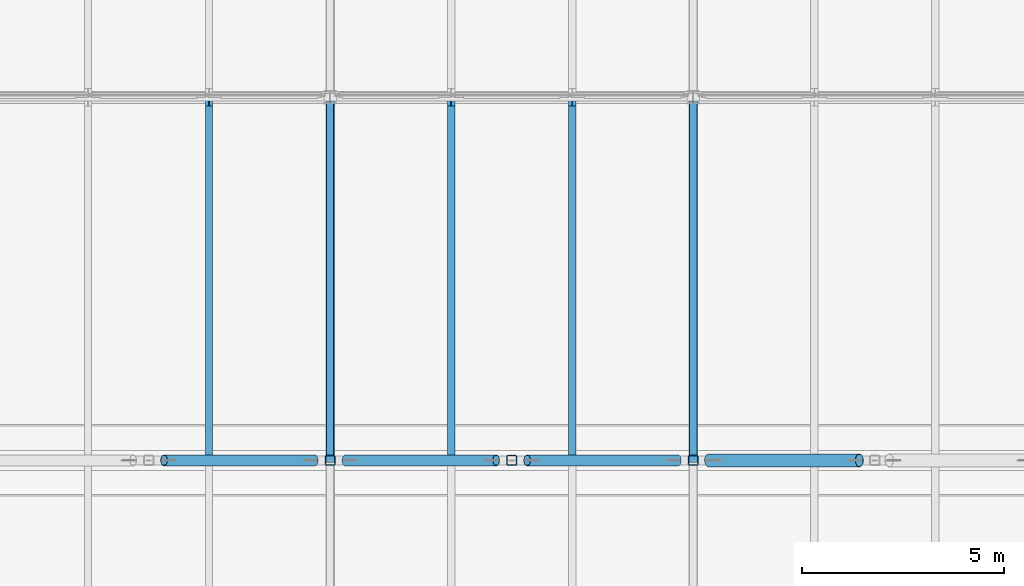
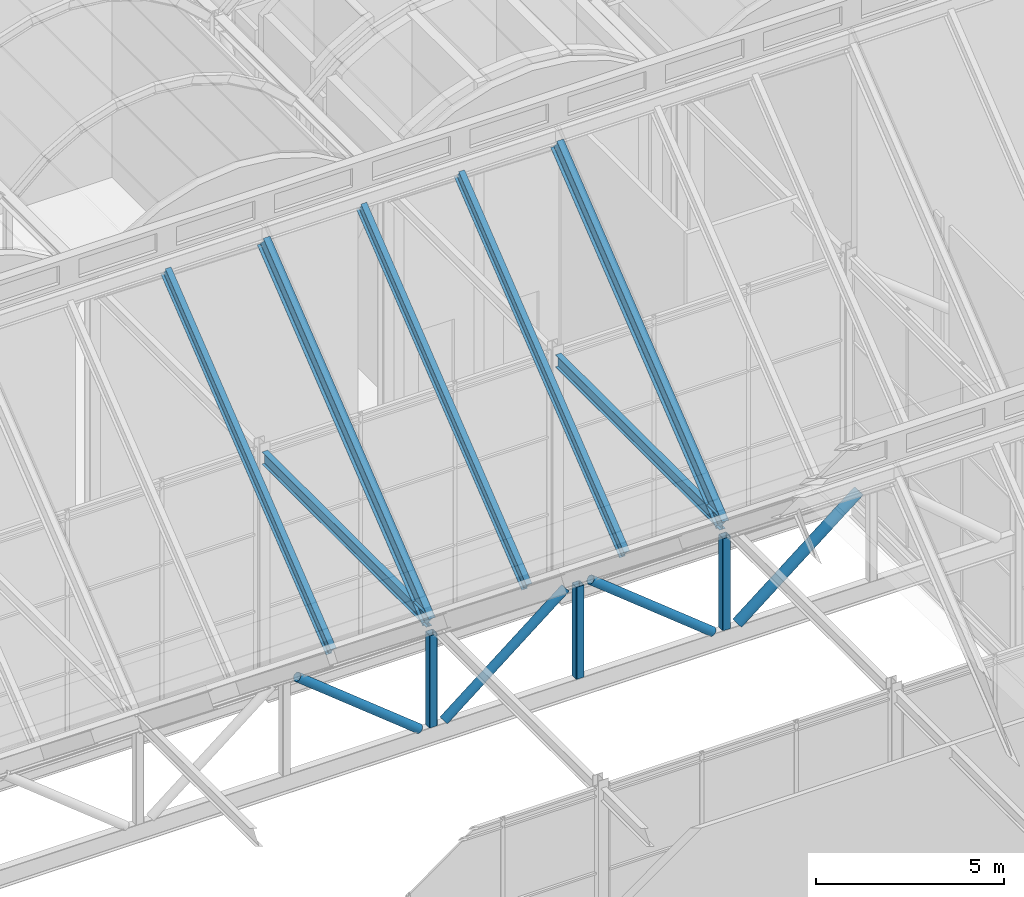
# One storey, part 74 of 144: 12 members, 2 beams.
"""IFC4 building model written with IfcOpenShell, lengths in metres."""

from ifc_helpers import new_model, si_unit, direction, frame, origin, origin_2d, place, context, subcontext, project, spatial, hollow_rectangle, hollow_circle, i_section, extrude, material, material_profile, profile_set, type_object, element, save


model = new_model("IFC4")

# Units and contexts
model_context = context("Model", 3, precision=1e-05, world=origin(), true_north=direction((0.0, 1.0)))
body_context = subcontext(model_context, "Body", "Model", "MODEL_VIEW")
ifc_project = project(units=[si_unit("LENGTHUNIT", "METRE"), si_unit("AREAUNIT", "SQUARE_METRE"), si_unit("VOLUMEUNIT", "CUBIC_METRE"), si_unit("PLANEANGLEUNIT", "RADIAN"), si_unit("MASSUNIT", "GRAM", prefix="KILO")], contexts=[model_context])

# Site, building, storey
site_placement = place(None, origin())
site = spatial("IfcSite", under=ifc_project, at=site_placement, CompositionType="ELEMENT")
building_placement = place(site_placement, origin())
building = spatial("IfcBuilding", under=site, at=building_placement, Name="Shorebreak Coast Museum", CompositionType="ELEMENT")
storey_placement = place(building_placement, frame((0.0, 0.0, 36.0)))
storey = spatial("IfcBuildingStorey", under=building, at=storey_placement, Name="L06", CompositionType="ELEMENT", Elevation=36.0)

# Members
ifc_material_1 = material(Name="Steel Grade C350L0", Category="steel")
ifc_material_profile_1 = material_profile(ifc_material_1, hollow_circle(Radius=0.136474609375, WallThickness=0.00927734375, at=origin_2d()), Name="273.1x9.3 CHS")
ifc_profile_set_1 = profile_set([ifc_material_profile_1], Name="Steel Grade C350L0")
member_type_1 = type_object("IfcMemberType", Name="Atrium roof truss diagonal 273.1x9.3 CHS", PredefinedType="BRACE", material=ifc_profile_set_1)
for number, where, z_axis, x_axis, name in (
    (1, (89.617431640625, 72.0, 4.235595703125), (-0.780878769246, 0.0, 0.624682597597), (0.0, -1.0, 0.0), "Atrium roof truss TA3 diagonal D06"),
    (2, (90.382568359375, 72.0, 4.235595703125), (0.780878769246, 0.0, 0.624682597597), (0.0, 1.0, 0.0), "Atrium roof truss TA3 diagonal D07"),
    (3, (98.617431640625, 72.0, 4.235595703125), (-0.780878769246, 0.0, 0.624682597597), (0.0, -1.0, 0.0), "Atrium roof truss TA3 diagonal D08"),
):
    element("IfcMember", number, at=place(storey_placement, frame(where, z_axis=z_axis, x_axis=x_axis)), inside=storey, type_object=member_type_1, Name=name, PredefinedType="BRACE", context=body_context, shape_type="SweptSolid", body=[
        extrude(hollow_circle(Radius=0.136474609375, WallThickness=0.00927734375, at=origin_2d()), origin(), (0.0, 0.0, 1.0), 4.782958984375),
    ])
ifc_material_2 = material(Name="Steel Grade C350L0", Category="steel")
ifc_material_profile_2 = material_profile(ifc_material_2, hollow_circle(Radius=0.161865234375, WallThickness=0.009521484375, at=origin_2d()), Name="323.9x9.5 CHS")
ifc_profile_set_2 = profile_set([ifc_material_profile_2], Name="Steel Grade C350L0")
member_type_2 = type_object("IfcMemberType", Name="Atrium roof truss diagonal 323.9x9.5 CHS", PredefinedType="BRACE", material=ifc_profile_set_2)
member_placement = place(storey_placement, frame((99.382568359375, 72.0, 4.235595703125), z_axis=(0.780878769246, 0.0, 0.624682597597), x_axis=(0.0, 1.0, 0.0)))
element("IfcMember", 4, at=member_placement, inside=storey, type_object=member_type_2, Name="Atrium roof truss TA3 diagonal D09", PredefinedType="BRACE", context=body_context, shape_type="SweptSolid", body=[
    extrude(hollow_circle(Radius=0.161865234375, WallThickness=0.009521484375, at=origin_2d()), origin(), (0.0, 0.0, 1.0), 4.782958984375),
])
ifc_material_3 = material(Name="Steel Grade C450L0", Category="steel")
ifc_material_profile_3 = material_profile(ifc_material_3, hollow_rectangle(XDim=0.25, YDim=0.25, WallThickness=0.012451171875, InnerFilletRadius=0.018798828125, OuterFilletRadius=0.03125, at=origin_2d()), Name="250x250x12.5 SHS")
ifc_profile_set_3 = profile_set([ifc_material_profile_3], Name="Steel Grade C450L0")
member_type_3 = type_object("IfcMemberType", Name="Atrium roof truss strut 250x250x12.5 SHS", PredefinedType="STRUT", material=ifc_profile_set_3)
for number, where, z_axis, x_axis, name in (
    (5, (90.0, 72.0, 4.235595703125), (0.0, 0.0, 1.0), (1.0, 0.0, 0.0), "Atrium roof truss TA3 strut V06"),
    (6, (94.5, 72.0, 4.235595703125), (0.0, 0.0, 1.0), (1.0, 0.0, 0.0), "Atrium roof truss TA3 strut V07"),
    (7, (99.0, 72.0, 4.235595703125), (0.0, 0.0, 1.0), (1.0, 0.0, 0.0), "Atrium roof truss TA3 strut V08"),
):
    element("IfcMember", number, at=place(storey_placement, frame(where, z_axis=z_axis, x_axis=x_axis)), inside=storey, type_object=member_type_3, Name=name, PredefinedType="STRUT", context=body_context, shape_type="SweptSolid", body=[
        extrude(hollow_rectangle(XDim=0.25, YDim=0.25, WallThickness=0.012451171875, InnerFilletRadius=0.018798828125, OuterFilletRadius=0.03125, at=origin_2d()), origin(), (0.0, 0.0, 1.0), 2.98779296875),
    ])
ifc_material_4 = material(Name="Steel Grade 300", Category="steel")
ifc_material_profile_4 = material_profile(ifc_material_4, i_section(OverallWidth=0.177978515625, OverallDepth=0.402587890625, WebThickness=0.007568359375, FlangeThickness=0.010986328125, FilletRadius=0.011474609375, at=origin_2d()), Name="410UB53.7")
ifc_profile_set_4 = profile_set([ifc_material_profile_4], Name="Steel Grade 300")
member_type_4 = type_object("IfcMemberType", Name="Fold rafter 410UB53.7", PredefinedType="RAFTER", material=ifc_profile_set_4)
for number, where, z_axis, x_axis, name in (
    (8, (87.0, 80.905029296875, 14.610107421875), (0.0, -0.780866693621, -0.624697692322), (1.0, 0.0, 0.0), "Fold rafter FOLD-X line 3 12"),
    (9, (93.0, 80.905029296875, 14.610107421875), (0.0, -0.780866693621, -0.624697692322), (1.0, 0.0, 0.0), "Fold rafter FOLD-X line 3 14"),
    (10, (96.0, 80.905029296875, 14.610107421875), (0.0, -0.780866693621, -0.624697692322), (1.0, 0.0, 0.0), "Fold rafter FOLD-X line 3 15"),
):
    element("IfcMember", number, at=place(storey_placement, frame(where, z_axis=z_axis, x_axis=x_axis)), inside=storey, type_object=member_type_4, Name=name, PredefinedType="RAFTER", context=body_context, shape_type="SweptSolid", body=[
        extrude(i_section(OverallWidth=0.177978515625, OverallDepth=0.402587890625, WebThickness=0.007568359375, FlangeThickness=0.010986328125, FilletRadius=0.011474609375, at=origin_2d()), origin(), (0.0, 0.0, 1.0), 11.25732421875),
    ])
ifc_material_5 = material(Name="Steel Grade 300", Category="steel")
ifc_material_profile_5 = material_profile(ifc_material_5, i_section(OverallWidth=0.208984375, OverallDepth=0.5283203125, WebThickness=0.009521484375, FlangeThickness=0.01318359375, FilletRadius=0.013916015625, at=origin_2d()), Name="530UB82.0")
ifc_profile_set_5 = profile_set([ifc_material_profile_5], Name="Steel Grade 300")
member_type_5 = type_object("IfcMemberType", Name="Fold rib rafter 530UB82.0", PredefinedType="RAFTER", material=ifc_profile_set_5)
for number, where, z_axis, x_axis, name in (
    (11, (90.0, 80.905029296875, 14.52978515625), (0.0, -0.780866693621, -0.624697692322), (1.0, 0.0, 0.0), "Fold rib rafter FOLD-X line 3 13"),
    (12, (99.0, 80.905029296875, 14.52978515625), (0.0, -0.780866693621, -0.624697692322), (1.0, 0.0, 0.0), "Fold rib rafter FOLD-X line 3 16"),
):
    element("IfcMember", number, at=place(storey_placement, frame(where, z_axis=z_axis, x_axis=x_axis)), inside=storey, type_object=member_type_5, Name=name, PredefinedType="RAFTER", context=body_context, shape_type="SweptSolid", body=[
        extrude(i_section(OverallWidth=0.208984375, OverallDepth=0.5283203125, WebThickness=0.009521484375, FlangeThickness=0.01318359375, FilletRadius=0.013916015625, at=origin_2d()), origin(), (0.0, 0.0, 1.0), 11.25732421875),
    ])

# Beams
ifc_material_6 = material(Name="Steel Grade 300", Category="steel")
ifc_material_profile_6 = material_profile(ifc_material_6, i_section(OverallWidth=0.177978515625, OverallDepth=0.402587890625, WebThickness=0.007568359375, FlangeThickness=0.010986328125, FilletRadius=0.011474609375, at=origin_2d()), Name="410UB53.7")
ifc_profile_set_6 = profile_set([ifc_material_profile_6], Name="Steel Grade 300")
beam_type = type_object("IfcBeamType", Name="Fold rib tie 410UB53.7", PredefinedType="BEAM", material=ifc_profile_set_6)
for number, where, z_axis, x_axis, name in (
    (13, (90.0, 72.114501953125, 7.54248046875), (0.0, 1.0, 0.0), (-1.0, 0.0, 0.0), "Fold rib tie FOLD-X rib 11 J-K"),
    (14, (99.0, 72.114501953125, 7.54248046875), (0.0, 1.0, 0.0), (-1.0, 0.0, 0.0), "Fold rib tie FOLD-X rib 12 J-K"),
):
    element("IfcBeam", number, at=place(storey_placement, frame(where, z_axis=z_axis, x_axis=x_axis)), inside=storey, type_object=beam_type, Name=name, PredefinedType="BEAM", context=body_context, shape_type="SweptSolid", body=[
        extrude(i_section(OverallWidth=0.177978515625, OverallDepth=0.402587890625, WebThickness=0.007568359375, FlangeThickness=0.010986328125, FilletRadius=0.011474609375, at=origin_2d()), origin(), (0.0, 0.0, 1.0), 8.728271484375),
    ])

save(model, "model.ifc")
